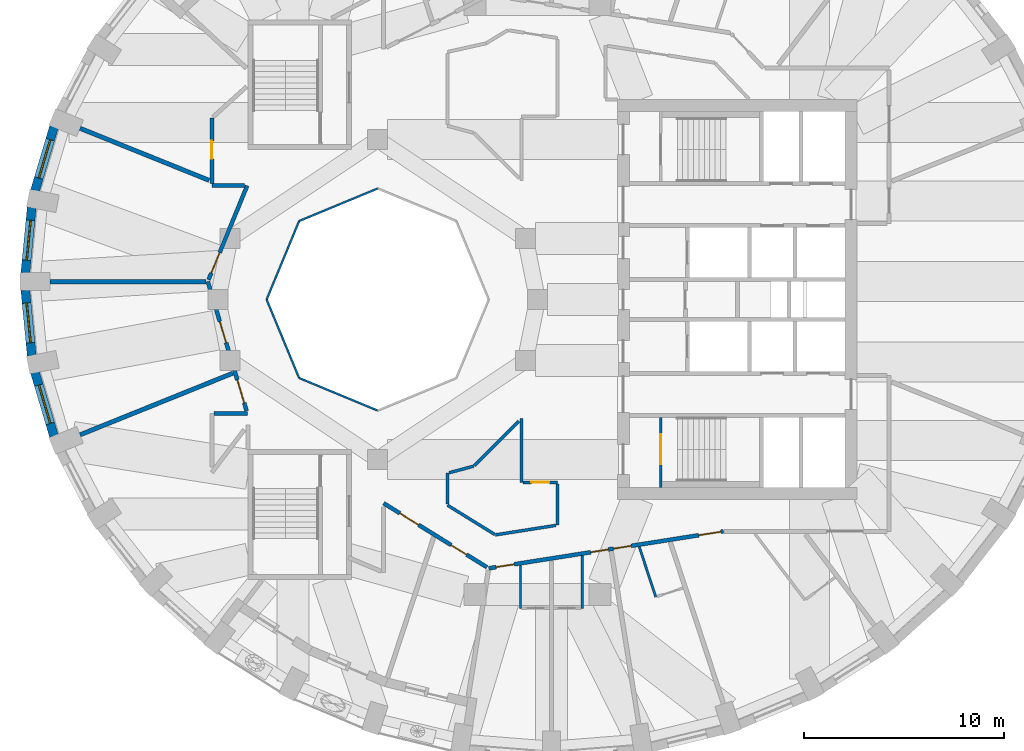
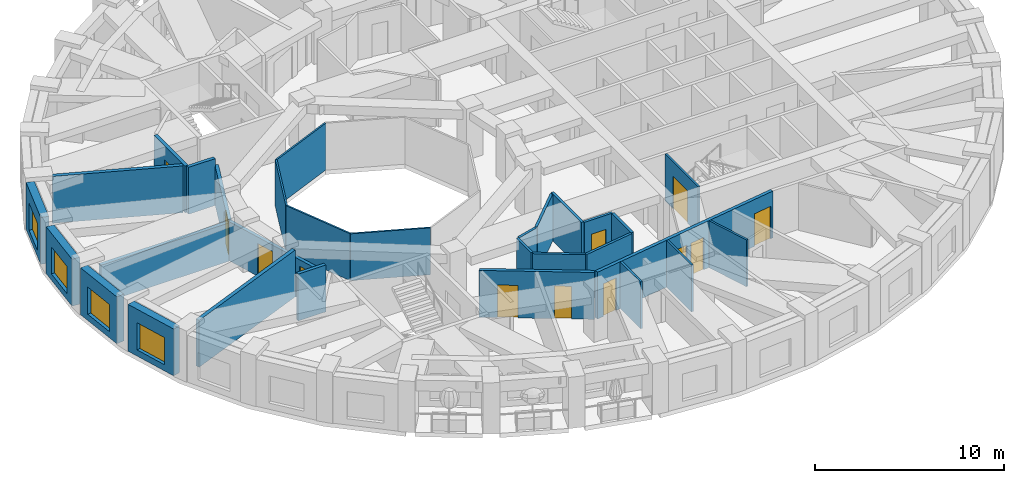
# One storey, part 4 of 12: 30 walls, 12 doors, 4 windows, 16 openings.
"""IFC4 building model written with IfcOpenShell, lengths in metres."""

from ifc_helpers import new_model, si_unit, direction, frame, frame_2d, origin, place, context, subcontext, project, spatial, rectangle, extrude, material, layer, layer_set, type_object, element, fill, save


model = new_model("IFC4")

# Units and contexts
model_context = context("Model", 3, precision=1e-05, world=origin(), true_north=direction((0.0, 1.0)))
body_context = subcontext(model_context, "Body", "Model", "MODEL_VIEW")
ifc_project = project(units=[si_unit("LENGTHUNIT", "METRE"), si_unit("AREAUNIT", "SQUARE_METRE"), si_unit("VOLUMEUNIT", "CUBIC_METRE"), si_unit("PLANEANGLEUNIT", "RADIAN"), si_unit("MASSUNIT", "GRAM", prefix="KILO")], contexts=[model_context])

# Site, building, storey
site_placement = place(None, origin())
site = spatial("IfcSite", under=ifc_project, at=site_placement, CompositionType="ELEMENT")
building_placement = place(site_placement, origin())
building = spatial("IfcBuilding", under=site, at=building_placement, Name="Taillehof Tower", CompositionType="ELEMENT")
storey_placement = place(building_placement, frame((0.0, 0.0, 212.300048828125)))
storey = spatial("IfcBuildingStorey", under=building, at=storey_placement, Name="L60", CompositionType="ELEMENT", Elevation=212.300048828125)

# Walls
ifc_material_1 = material(Name="Fire-resisting glass in steel frame", Category="steel")
ifc_layer_1 = layer(ifc_material_1, 0.10009765625)
ifc_layer_set_1 = layer_set([ifc_layer_1], Name="Atrium fire-resisting screen EI 60 100")
wall_type_1 = type_object("IfcWallType", Name="Atrium fire-resisting screen EI 60 100", PredefinedType="PARTITIONING", material=ifc_layer_set_1)
for number, where, z_axis, x_axis, name in (
    (1, (-8.0, -5.55419921875, 0.0), (0.0, 0.0, 1.0), (-0.923860025149, 0.382730523909, 0.0), "Atrium screen"),
    (2, (-11.92724609375, -3.92724609375, 0.0), (0.0, 0.0, 1.0), (-0.382730523909, 0.923860025149, 0.0), "Atrium screen"),
    (3, (-13.55419921875, 0.0, 0.0), (0.0, 0.0, 1.0), (0.382730523909, 0.923860025149, 0.0), "Atrium screen"),
    (4, (-11.92724609375, 3.92724609375, 0.0), (0.0, 0.0, 1.0), (0.923860025149, 0.382730523909, 0.0), "Atrium screen"),
):
    element("IfcWall", number, at=place(storey_placement, frame(where, z_axis=z_axis, x_axis=x_axis)), inside=storey, type_object=wall_type_1, Name=name, PredefinedType="PARTITIONING", context=body_context, shape_type="SweptSolid", body=[
        extrude(rectangle(XDim=4.2509765625, YDim=0.10009765625, at=frame_2d((2.12548828125, 0.0))), origin(), (0.0, 0.0, 1.0), 3.02001953125),
    ])

# Wall, opening, window
ifc_material_2 = material(Name="Brick masonry", Category="masonry")
ifc_layer_2 = layer(ifc_material_2, 0.449951171875)
ifc_layer_set_2 = layer_set([ifc_layer_2], Name="Brick infill wall 450")
wall_type_2 = type_object("IfcWallType", Name="Brick infill wall 450", PredefinedType="SOLIDWALL", material=ifc_layer_set_2)
wall_1_placement = place(storey_placement, frame((-24.200439453125, 8.634033203125, 0.0), z_axis=(0.0, 0.0, 1.0), x_axis=(-0.285444972963, -0.958395099847, 0.0)))
wall_1 = element("IfcWall", 5, at=wall_1_placement, inside=storey, type_object=wall_type_2, Name="Brick wall L60 bay 17", PredefinedType="SOLIDWALL", context=body_context, shape_type="SweptSolid", body=[
    extrude(rectangle(XDim=3.3203125, YDim=0.449951171875, at=frame_2d((1.66015625, 0.0))), origin(), (0.0, 0.0, 1.0), 3.02001953125),
])
opening_1_placement = place(wall_1_placement, frame((0.66015625, 0.0, 0.39990234375)))
opening_1 = element("IfcOpeningElement", 6, at=opening_1_placement, cuts=wall_1, Name="Opening W2", PredefinedType="OPENING", context=body_context, shape_type="SweptSolid", body=[
    extrude(rectangle(XDim=2.0, YDim=1.75, at=frame_2d((1.0, 0.875))), frame((0.0, 0.23486328125, 0.0), z_axis=(0.0, -1.0, 0.0), x_axis=(1.0, 0.0, 0.0)), (0.0, 0.0, 1.0), 0.469970703125),
])
ifc_material_3 = material(Name="Aluminium window frame with clear double glazing", Category="aluminium")
window_type = type_object("IfcWindowType", Name="Deep-set window 2000x1750", PartitioningType="SINGLE_PANEL", PredefinedType="WINDOW", material=ifc_material_3)
window_1_placement = place(opening_1_placement, origin())
window_1 = element("IfcWindow", 7, at=window_1_placement, inside=storey, type_object=window_type, Name="W2", OverallHeight=1.75, OverallWidth=2.0, PartitioningType="SINGLE_PANEL", PredefinedType="WINDOW", context=body_context, shape_type="SweptSolid", body=[
    extrude(rectangle(XDim=2.0, YDim=1.75, at=frame_2d((1.0, 0.875))), frame((0.0, 0.034912109375, 0.0), z_axis=(0.0, -1.0, 0.0), x_axis=(1.0, 0.0, 0.0)), (0.0, 0.0, 1.0), 0.06005859375),
])
fill(opening_1, window_1)

wall_2_placement = place(storey_placement, frame((-25.313232421875, 4.607666015625, 0.0), z_axis=(0.0, 0.0, 1.0), x_axis=(-0.096824116835, -0.995301507283, 0.0)))
wall_2 = element("IfcWall", 8, at=wall_2_placement, inside=storey, type_object=wall_type_2, Name="Brick wall L60 bay 18", PredefinedType="SOLIDWALL", context=body_context, shape_type="SweptSolid", body=[
    extrude(rectangle(XDim=3.29296875, YDim=0.449951171875, at=frame_2d((1.646484375, 0.0))), origin(), (0.0, 0.0, 1.0), 3.02001953125),
])
opening_2_placement = place(wall_2_placement, frame((0.646484375, 0.0, 0.39990234375)))
opening_2 = element("IfcOpeningElement", 9, at=opening_2_placement, cuts=wall_2, Name="Opening W2", PredefinedType="OPENING", context=body_context, shape_type="SweptSolid", body=[
    extrude(rectangle(XDim=2.0, YDim=1.75, at=frame_2d((1.0, 0.875))), frame((0.0, 0.23486328125, 0.0), z_axis=(0.0, -1.0, 0.0), x_axis=(1.0, 0.0, 0.0)), (0.0, 0.0, 1.0), 0.469970703125),
])
window_2_placement = place(opening_2_placement, origin())
window_2 = element("IfcWindow", 10, at=window_2_placement, inside=storey, type_object=window_type, Name="W2", OverallHeight=1.75, OverallWidth=2.0, PartitioningType="SINGLE_PANEL", PredefinedType="WINDOW", context=body_context, shape_type="SweptSolid", body=[
    extrude(rectangle(XDim=2.0, YDim=1.75, at=frame_2d((1.0, 0.875))), frame((0.0, 0.034912109375, 0.0), z_axis=(0.0, -1.0, 0.0), x_axis=(1.0, 0.0, 0.0)), (0.0, 0.0, 1.0), 0.06005859375),
])
fill(opening_2, window_2)

wall_3_placement = place(storey_placement, frame((-25.632080078125, 0.469970703125, 0.0), z_axis=(0.0, 0.0, 1.0), x_axis=(0.096816972749, -0.995302202242, 0.0)))
wall_3 = element("IfcWall", 11, at=wall_3_placement, inside=storey, type_object=wall_type_2, Name="Brick wall L60 bay 19", PredefinedType="SOLIDWALL", context=body_context, shape_type="SweptSolid", body=[
    extrude(rectangle(XDim=3.293212890625, YDim=0.449951171875, at=frame_2d((1.646484375, 0.0))), origin(), (0.0, 0.0, 1.0), 3.02001953125),
])
opening_3_placement = place(wall_3_placement, frame((0.646484375, 0.0, 0.39990234375)))
opening_3 = element("IfcOpeningElement", 12, at=opening_3_placement, cuts=wall_3, Name="Opening W2", PredefinedType="OPENING", context=body_context, shape_type="SweptSolid", body=[
    extrude(rectangle(XDim=2.0, YDim=1.75, at=frame_2d((1.0, 0.875))), frame((0.0, 0.23486328125, 0.0), z_axis=(0.0, -1.0, 0.0), x_axis=(1.0, 0.0, 0.0)), (0.0, 0.0, 1.0), 0.469970703125),
])
window_3_placement = place(opening_3_placement, origin())
window_3 = element("IfcWindow", 13, at=window_3_placement, inside=storey, type_object=window_type, Name="W2", OverallHeight=1.75, OverallWidth=2.0, PartitioningType="SINGLE_PANEL", PredefinedType="WINDOW", context=body_context, shape_type="SweptSolid", body=[
    extrude(rectangle(XDim=2.0, YDim=1.75, at=frame_2d((1.0, 0.875))), frame((0.0, 0.034912109375, 0.0), z_axis=(0.0, -1.0, 0.0), x_axis=(1.0, 0.0, 0.0)), (0.0, 0.0, 1.0), 0.06005859375),
])
fill(opening_3, window_3)

wall_4_placement = place(storey_placement, frame((-25.148193359375, -3.65185546875, 0.0), z_axis=(0.0, 0.0, 1.0), x_axis=(0.285444972963, -0.958395099847, 0.0)))
wall_4 = element("IfcWall", 14, at=wall_4_placement, inside=storey, type_object=wall_type_2, Name="Brick wall L60 bay 20", PredefinedType="SOLIDWALL", context=body_context, shape_type="SweptSolid", body=[
    extrude(rectangle(XDim=3.3203125, YDim=0.449951171875, at=frame_2d((1.66015625, 0.0))), origin(), (0.0, 0.0, 1.0), 3.02001953125),
])
opening_4_placement = place(wall_4_placement, frame((0.66015625, 0.0, 0.39990234375)))
opening_4 = element("IfcOpeningElement", 15, at=opening_4_placement, cuts=wall_4, Name="Opening W2", PredefinedType="OPENING", context=body_context, shape_type="SweptSolid", body=[
    extrude(rectangle(XDim=2.0, YDim=1.75, at=frame_2d((1.0, 0.875))), frame((0.0, 0.23486328125, 0.0), z_axis=(0.0, -1.0, 0.0), x_axis=(1.0, 0.0, 0.0)), (0.0, 0.0, 1.0), 0.469970703125),
])
window_4_placement = place(opening_4_placement, origin())
window_4 = element("IfcWindow", 16, at=window_4_placement, inside=storey, type_object=window_type, Name="W2", OverallHeight=1.75, OverallWidth=2.0, PartitioningType="SINGLE_PANEL", PredefinedType="WINDOW", context=body_context, shape_type="SweptSolid", body=[
    extrude(rectangle(XDim=2.0, YDim=1.75, at=frame_2d((1.0, 0.875))), frame((0.0, 0.034912109375, 0.0), z_axis=(0.0, -1.0, 0.0), x_axis=(1.0, 0.0, 0.0)), (0.0, 0.0, 1.0), 0.06005859375),
])
fill(opening_4, window_4)

# Wall, openings, doors
ifc_material_4 = material(Name="Gypsum board on steel studs, two layers each side", Category="steel")
ifc_layer_3 = layer(ifc_material_4, 0.199951171875)
ifc_layer_set_3 = layer_set([ifc_layer_3], Name="Compartment wall corridor 200")
wall_type_3 = type_object("IfcWallType", Name="Compartment wall corridor 200", PredefinedType="PARTITIONING", material=ifc_layer_set_3)
wall_5_placement = place(storey_placement, frame((9.306396484375, -11.603271484375, 0.0), z_axis=(0.0, 0.0, 1.0), x_axis=(-0.987842562114, -0.155457622769, 0.0)))
wall_5 = element("IfcWall", 17, at=wall_5_placement, inside=storey, type_object=wall_type_3, Name="Compartment wall", PredefinedType="PARTITIONING", context=body_context, shape_type="SweptSolid", body=[
    extrude(rectangle(XDim=11.89306640625, YDim=0.199951171875, at=frame_2d((5.946533203125, 0.0))), origin(), (0.0, 0.0, 1.0), 3.02001953125),
])
opening_5_placement = place(wall_5_placement, frame((10.60693359375, 0.0, 0.0)))
opening_5 = element("IfcOpeningElement", 18, at=opening_5_placement, cuts=wall_5, Name="Opening D6054", PredefinedType="OPENING", context=body_context, shape_type="SweptSolid", body=[
    extrude(rectangle(XDim=0.89990234375, YDim=2.10009765625, at=frame_2d((0.449951171875, 1.050048828125))), frame((0.0, 0.10986328125, 0.0), z_axis=(0.0, -1.0, 0.0), x_axis=(1.0, 0.0, 0.0)), (0.0, 0.0, 1.0), 0.219970703125),
])
opening_6_placement = place(wall_5_placement, frame((5.829345703125, 0.0, 0.0)))
opening_6 = element("IfcOpeningElement", 19, at=opening_6_placement, cuts=wall_5, Name="Opening D6056", PredefinedType="OPENING", context=body_context, shape_type="SweptSolid", body=[
    extrude(rectangle(XDim=0.89990234375, YDim=2.10009765625, at=frame_2d((0.449951171875, 1.050048828125))), frame((0.0, 0.10986328125, 0.0), z_axis=(0.0, -1.0, 0.0), x_axis=(1.0, 0.0, 0.0)), (0.0, 0.0, 1.0), 0.219970703125),
])
opening_7_placement = place(wall_5_placement, frame((4.66943359375, 0.0, 0.0)))
opening_7 = element("IfcOpeningElement", 20, at=opening_7_placement, cuts=wall_5, Name="Opening D6058", PredefinedType="OPENING", context=body_context, shape_type="SweptSolid", body=[
    extrude(rectangle(XDim=0.89990234375, YDim=2.10009765625, at=frame_2d((0.449951171875, 1.050048828125))), frame((0.0, 0.10986328125, 0.0), z_axis=(0.0, -1.0, 0.0), x_axis=(1.0, 0.0, 0.0)), (0.0, 0.0, 1.0), 0.219970703125),
])
opening_8_placement = place(wall_5_placement, frame((0.139892578125, 0.0, 0.0)))
opening_8 = element("IfcOpeningElement", 21, at=opening_8_placement, cuts=wall_5, Name="Opening D6060", PredefinedType="OPENING", context=body_context, shape_type="SweptSolid", body=[
    extrude(rectangle(XDim=1.10009765625, YDim=2.10009765625, at=frame_2d((0.550048828125, 1.050048828125))), frame((0.0, 0.10986328125, 0.0), z_axis=(0.0, -1.0, 0.0), x_axis=(1.0, 0.0, 0.0)), (0.0, 0.0, 1.0), 0.219970703125),
])
ifc_material_5 = material(Name="Timber door leaf in steel frame", Category="steel")
door_type_1 = type_object("IfcDoorType", Name="Guest room door EI 30 900 x 2100", OperationType="SINGLE_SWING_LEFT", PredefinedType="DOOR", material=ifc_material_5)
door_1_placement = place(opening_5_placement, origin())
door_1 = element("IfcDoor", 22, at=door_1_placement, inside=storey, type_object=door_type_1, Name="D6054", OperationType="SINGLE_SWING_LEFT", OverallHeight=2.10009765625, OverallWidth=0.89990234375, PredefinedType="DOOR", context=body_context, shape_type="SweptSolid", body=[
    extrude(rectangle(XDim=0.89990234375, YDim=2.10009765625, at=frame_2d((0.449951171875, 1.050048828125))), frame((0.0, 0.02490234375, 0.0), z_axis=(0.0, -1.0, 0.0), x_axis=(1.0, 0.0, 0.0)), (0.0, 0.0, 1.0), 0.050048828125),
])
fill(opening_5, door_1)
door_2_placement = place(opening_6_placement, origin())
door_2 = element("IfcDoor", 23, at=door_2_placement, inside=storey, type_object=door_type_1, Name="D6056", OperationType="SINGLE_SWING_LEFT", OverallHeight=2.10009765625, OverallWidth=0.89990234375, PredefinedType="DOOR", context=body_context, shape_type="SweptSolid", body=[
    extrude(rectangle(XDim=0.89990234375, YDim=2.10009765625, at=frame_2d((0.449951171875, 1.050048828125))), frame((0.0, 0.02490234375, 0.0), z_axis=(0.0, -1.0, 0.0), x_axis=(1.0, 0.0, 0.0)), (0.0, 0.0, 1.0), 0.050048828125),
])
fill(opening_6, door_2)
door_3_placement = place(opening_7_placement, origin())
door_3 = element("IfcDoor", 24, at=door_3_placement, inside=storey, type_object=door_type_1, Name="D6058", OperationType="SINGLE_SWING_RIGHT", OverallHeight=2.10009765625, OverallWidth=0.89990234375, PredefinedType="DOOR", context=body_context, shape_type="SweptSolid", body=[
    extrude(rectangle(XDim=0.89990234375, YDim=2.10009765625, at=frame_2d((0.449951171875, 1.050048828125))), frame((0.0, 0.02490234375, 0.0), z_axis=(0.0, -1.0, 0.0), x_axis=(1.0, 0.0, 0.0)), (0.0, 0.0, 1.0), 0.050048828125),
])
fill(opening_7, door_3)
ifc_material_6 = material(Name="Timber door leaf in steel frame", Category="steel")
door_type_2 = type_object("IfcDoorType", Name="Suite entrance door EI 30 1100 x 2100", OperationType="SINGLE_SWING_LEFT", PredefinedType="DOOR", material=ifc_material_6)
door_4_placement = place(opening_8_placement, origin())
door_4 = element("IfcDoor", 25, at=door_4_placement, inside=storey, type_object=door_type_2, Name="D6060", OperationType="SINGLE_SWING_LEFT", OverallHeight=2.10009765625, OverallWidth=1.10009765625, PredefinedType="DOOR", context=body_context, shape_type="SweptSolid", body=[
    extrude(rectangle(XDim=1.10009765625, YDim=2.10009765625, at=frame_2d((0.550048828125, 1.050048828125))), frame((0.0, 0.02490234375, 0.0), z_axis=(0.0, -1.0, 0.0), x_axis=(1.0, 0.0, 0.0)), (0.0, 0.0, 1.0), 0.050048828125),
])
fill(opening_8, door_4)

wall_6_placement = place(storey_placement, frame((-2.527587890625, -13.399658203125, 0.0), z_axis=(0.0, 0.0, 1.0), x_axis=(-0.850088088191, 0.526640524757, 0.0)))
wall_6 = element("IfcWall", 26, at=wall_6_placement, inside=storey, type_object=wall_type_3, Name="Compartment wall", PredefinedType="PARTITIONING", context=body_context, shape_type="SweptSolid", body=[
    extrude(rectangle(XDim=6.08447265625, YDim=0.199951171875, at=frame_2d((3.042236328125, 0.0))), origin(), (0.0, 0.0, 1.0), 3.02001953125),
])
opening_9_placement = place(wall_6_placement, frame((4.031494140625, 0.0, 0.0)))
opening_9 = element("IfcOpeningElement", 27, at=opening_9_placement, cuts=wall_6, Name="Opening D6052", PredefinedType="OPENING", context=body_context, shape_type="SweptSolid", body=[
    extrude(rectangle(XDim=1.10009765625, YDim=2.10009765625, at=frame_2d((0.550048828125, 1.050048828125))), frame((0.0, 0.10986328125, 0.0), z_axis=(0.0, -1.0, 0.0), x_axis=(1.0, 0.0, 0.0)), (0.0, 0.0, 1.0), 0.219970703125),
])
opening_10_placement = place(wall_6_placement, frame((1.206298828125, 0.0, 0.0)))
opening_10 = element("IfcOpeningElement", 28, at=opening_10_placement, cuts=wall_6, Name="Opening D6053", PredefinedType="OPENING", context=body_context, shape_type="SweptSolid", body=[
    extrude(rectangle(XDim=0.89990234375, YDim=2.10009765625, at=frame_2d((0.449951171875, 1.050048828125))), frame((0.0, 0.10986328125, 0.0), z_axis=(0.0, -1.0, 0.0), x_axis=(1.0, 0.0, 0.0)), (0.0, 0.0, 1.0), 0.219970703125),
])
ifc_material_7 = material(Name="Timber door leaf in steel frame", Category="steel")
door_type_3 = type_object("IfcDoorType", Name="Service room door EI 30 900 x 2100", OperationType="SINGLE_SWING_LEFT", PredefinedType="DOOR", material=ifc_material_7)
door_5_placement = place(opening_10_placement, origin())
door_5 = element("IfcDoor", 29, at=door_5_placement, inside=storey, type_object=door_type_3, Name="D6053", OperationType="SINGLE_SWING_RIGHT", OverallHeight=2.10009765625, OverallWidth=0.89990234375, PredefinedType="DOOR", context=body_context, shape_type="SweptSolid", body=[
    extrude(rectangle(XDim=0.89990234375, YDim=2.10009765625, at=frame_2d((0.449951171875, 1.050048828125))), frame((0.0, 0.02490234375, 0.0), z_axis=(0.0, -1.0, 0.0), x_axis=(1.0, 0.0, 0.0)), (0.0, 0.0, 1.0), 0.050048828125),
])
fill(opening_10, door_5)
door_6_placement = place(opening_9_placement, origin())
door_6 = element("IfcDoor", 30, at=door_6_placement, inside=storey, type_object=door_type_2, Name="D6052", OperationType="SINGLE_SWING_RIGHT", OverallHeight=2.10009765625, OverallWidth=1.10009765625, PredefinedType="DOOR", context=body_context, shape_type="SweptSolid", body=[
    extrude(rectangle(XDim=1.10009765625, YDim=2.10009765625, at=frame_2d((0.550048828125, 1.050048828125))), frame((0.0, 0.02490234375, 0.0), z_axis=(0.0, -1.0, 0.0), x_axis=(1.0, 0.0, 0.0)), (0.0, 0.0, 1.0), 0.050048828125),
])
fill(opening_9, door_6)

# Wall
wall_7_placement = place(storey_placement, frame((-16.199951171875, -5.699951171875, 0.0), z_axis=(0.0, 0.0, 1.0), x_axis=(1.0, 0.0, 0.0)))
element("IfcWall", 31, at=wall_7_placement, inside=storey, type_object=wall_type_3, Name="Compartment wall", PredefinedType="PARTITIONING", context=body_context, shape_type="SweptSolid", body=[
    extrude(rectangle(XDim=1.681396484375, YDim=0.199951171875, at=frame_2d((0.8408203125, 0.0))), origin(), (0.0, 0.0, 1.0), 3.02001953125),
])

# Wall, openings, doors
wall_8_placement = place(storey_placement, frame((-14.5595703125, -5.566650390625, 0.0), z_axis=(0.0, 0.0, 1.0), x_axis=(-0.287410918602, 0.95780737305, 0.0)))
wall_8 = element("IfcWall", 32, at=wall_8_placement, inside=storey, type_object=wall_type_3, Name="Compartment wall", PredefinedType="PARTITIONING", context=body_context, shape_type="SweptSolid", body=[
    extrude(rectangle(XDim=6.75146484375, YDim=0.199951171875, at=frame_2d((3.375732421875, 0.0))), origin(), (0.0, 0.0, 1.0), 2.52001953125),
])
opening_11_placement = place(wall_8_placement, frame((3.561279296875, 0.0, 0.0)))
opening_11 = element("IfcOpeningElement", 33, at=opening_11_placement, cuts=wall_8, Name="Opening D6050", PredefinedType="OPENING", context=body_context, shape_type="SweptSolid", body=[
    extrude(rectangle(XDim=1.10009765625, YDim=2.10009765625, at=frame_2d((0.550048828125, 1.050048828125))), frame((0.0, 0.10986328125, 0.0), z_axis=(0.0, -1.0, 0.0), x_axis=(1.0, 0.0, 0.0)), (0.0, 0.0, 1.0), 0.219970703125),
])
opening_12_placement = place(wall_8_placement, frame((0.409912109375, 0.0, 0.0)))
opening_12 = element("IfcOpeningElement", 34, at=opening_12_placement, cuts=wall_8, Name="Opening D6051", PredefinedType="OPENING", context=body_context, shape_type="SweptSolid", body=[
    extrude(rectangle(XDim=1.199951171875, YDim=2.10009765625, at=frame_2d((0.60009765625, 1.050048828125))), frame((0.0, 0.10986328125, 0.0), z_axis=(0.0, -1.0, 0.0), x_axis=(1.0, 0.0, 0.0)), (0.0, 0.0, 1.0), 0.219970703125),
])
door_7_placement = place(opening_11_placement, origin())
door_7 = element("IfcDoor", 35, at=door_7_placement, inside=storey, type_object=door_type_2, Name="D6050", OperationType="SINGLE_SWING_LEFT", OverallHeight=2.10009765625, OverallWidth=1.10009765625, PredefinedType="DOOR", context=body_context, shape_type="SweptSolid", body=[
    extrude(rectangle(XDim=1.10009765625, YDim=2.10009765625, at=frame_2d((0.550048828125, 1.050048828125))), frame((0.0, 0.02490234375, 0.0), z_axis=(0.0, -1.0, 0.0), x_axis=(1.0, 0.0, 0.0)), (0.0, 0.0, 1.0), 0.050048828125),
])
fill(opening_11, door_7)
ifc_material_8 = material(Name="Timber door leaf in steel frame", Category="steel")
door_type_4 = type_object("IfcDoorType", Name="Suite entrance door EI 30 1200 x 2100", OperationType="SINGLE_SWING_LEFT", PredefinedType="DOOR", material=ifc_material_8)
door_8_placement = place(opening_12_placement, origin())
door_8 = element("IfcDoor", 36, at=door_8_placement, inside=storey, type_object=door_type_4, Name="D6051", OperationType="SINGLE_SWING_RIGHT", OverallHeight=2.10009765625, OverallWidth=1.199951171875, PredefinedType="DOOR", context=body_context, shape_type="SweptSolid", body=[
    extrude(rectangle(XDim=1.199951171875, YDim=2.10009765625, at=frame_2d((0.60009765625, 1.050048828125))), frame((0.0, 0.02490234375, 0.0), z_axis=(0.0, -1.0, 0.0), x_axis=(1.0, 0.0, 0.0)), (0.0, 0.0, 1.0), 0.050048828125),
])
fill(opening_12, door_8)

# Wall, opening, door
wall_9_placement = place(storey_placement, frame((-16.462158203125, 0.99267578125, 0.0), z_axis=(0.0, 0.0, 1.0), x_axis=(0.37991958703, 0.925019517303, 0.0)))
wall_9 = element("IfcWall", 37, at=wall_9_placement, inside=storey, type_object=wall_type_3, Name="Compartment wall", PredefinedType="PARTITIONING", context=body_context, shape_type="SweptSolid", body=[
    extrude(rectangle(XDim=5.0888671875, YDim=0.199951171875, at=frame_2d((2.54443359375, 0.0))), origin(), (0.0, 0.0, 1.0), 2.52001953125),
])
opening_13_placement = place(wall_9_placement, frame((0.359619140625, 0.0, 0.0)))
opening_13 = element("IfcOpeningElement", 38, at=opening_13_placement, cuts=wall_9, Name="Opening D6049", PredefinedType="OPENING", context=body_context, shape_type="SweptSolid", body=[
    extrude(rectangle(XDim=1.10009765625, YDim=2.10009765625, at=frame_2d((0.550048828125, 1.050048828125))), frame((0.0, 0.10986328125, 0.0), z_axis=(0.0, -1.0, 0.0), x_axis=(1.0, 0.0, 0.0)), (0.0, 0.0, 1.0), 0.219970703125),
])
door_9_placement = place(opening_13_placement, origin())
door_9 = element("IfcDoor", 39, at=door_9_placement, inside=storey, type_object=door_type_2, Name="D6049", OperationType="SINGLE_SWING_LEFT", OverallHeight=2.10009765625, OverallWidth=1.10009765625, PredefinedType="DOOR", context=body_context, shape_type="SweptSolid", body=[
    extrude(rectangle(XDim=1.10009765625, YDim=2.10009765625, at=frame_2d((0.550048828125, 1.050048828125))), frame((0.0, 0.02490234375, 0.0), z_axis=(0.0, -1.0, 0.0), x_axis=(1.0, 0.0, 0.0)), (0.0, 0.0, 1.0), 0.050048828125),
])
fill(opening_13, door_9)

# Wall
wall_10_placement = place(storey_placement, frame((-14.6689453125, 5.699951171875, 0.0), z_axis=(0.0, 0.0, 1.0), x_axis=(-1.0, 0.0, 0.0)))
element("IfcWall", 40, at=wall_10_placement, inside=storey, type_object=wall_type_3, Name="Compartment wall", PredefinedType="PARTITIONING", context=body_context, shape_type="SweptSolid", body=[
    extrude(rectangle(XDim=1.631103515625, YDim=0.199951171875, at=frame_2d((0.8154296875, 0.0))), origin(), (0.0, 0.0, 1.0), 3.02001953125),
])

# Wall, opening, door
wall_11_placement = place(storey_placement, frame((-16.300048828125, 5.800048828125, 0.0), z_axis=(0.0, 0.0, 1.0), x_axis=(0.0, 1.0, 0.0)))
wall_11 = element("IfcWall", 41, at=wall_11_placement, inside=storey, type_object=wall_type_3, Name="Compartment wall", PredefinedType="PARTITIONING", context=body_context, shape_type="SweptSolid", body=[
    extrude(rectangle(XDim=3.28271484375, YDim=0.199951171875, at=frame_2d((1.641357421875, 0.0))), origin(), (0.0, 0.0, 1.0), 3.02001953125),
])
opening_14_placement = place(wall_11_placement, frame((1.2412109375, 0.0, 0.0)))
opening_14 = element("IfcOpeningElement", 42, at=opening_14_placement, cuts=wall_11, Name="Opening D6048", PredefinedType="OPENING", context=body_context, shape_type="SweptSolid", body=[
    extrude(rectangle(XDim=0.89990234375, YDim=2.10009765625, at=frame_2d((0.449951171875, 1.050048828125))), frame((0.0, 0.10986328125, 0.0), z_axis=(0.0, -1.0, 0.0), x_axis=(1.0, 0.0, 0.0)), (0.0, 0.0, 1.0), 0.219970703125),
])
door_10_placement = place(opening_14_placement, origin())
door_10 = element("IfcDoor", 43, at=door_10_placement, inside=storey, type_object=door_type_3, Name="D6048", OperationType="SINGLE_SWING_LEFT", OverallHeight=2.10009765625, OverallWidth=0.89990234375, PredefinedType="DOOR", context=body_context, shape_type="SweptSolid", body=[
    extrude(rectangle(XDim=0.89990234375, YDim=2.10009765625, at=frame_2d((0.449951171875, 1.050048828125))), frame((0.0, 0.02490234375, 0.0), z_axis=(0.0, -1.0, 0.0), x_axis=(1.0, 0.0, 0.0)), (0.0, 0.0, 1.0), 0.050048828125),
])
fill(opening_14, door_10)

# Walls
ifc_material_9 = material(Name="Gypsum board on double steel studs with mineral wool", Category="steel")
ifc_layer_4 = layer(ifc_material_9, 0.219970703125)
ifc_layer_set_4 = layer_set([ifc_layer_4], Name="Compartment wall guest room 220")
wall_type_4 = type_object("IfcWallType", Name="Compartment wall guest room 220", PredefinedType="PARTITIONING", material=ifc_layer_set_4)
wall_12_placement = place(storey_placement, frame((-22.8955078125, 8.5712890625, 0.0), z_axis=(0.0, 0.0, 1.0), x_axis=(0.927387137769, -0.374103056256, 0.0)))
element("IfcWall", 44, at=wall_12_placement, inside=storey, type_object=wall_type_4, Name="Compartment wall", PredefinedType="PARTITIONING", context=body_context, shape_type="SweptSolid", body=[
    extrude(rectangle(XDim=6.9638671875, YDim=0.219970703125, at=frame_2d((3.48193359375, 0.0))), origin(), (0.0, 0.0, 1.0), 3.02001953125),
])
wall_13_placement = place(storey_placement, frame((-24.39990234375, 0.89990234375, 0.0), z_axis=(0.0, 0.0, 1.0), x_axis=(1.0, 0.0, 0.0)))
element("IfcWall", 45, at=wall_13_placement, inside=storey, type_object=wall_type_4, Name="Compartment wall", PredefinedType="PARTITIONING", context=body_context, shape_type="SweptSolid", body=[
    extrude(rectangle(XDim=7.7998046875, YDim=0.219970703125, at=frame_2d((3.89990234375, 0.0))), origin(), (0.0, 0.0, 1.0), 2.469970703125),
])
wall_14_placement = place(storey_placement, frame((-22.8955078125, -6.771484375, 0.0), z_axis=(0.0, 0.0, 1.0), x_axis=(0.92738233242, 0.374114968313, 0.0)))
element("IfcWall", 46, at=wall_14_placement, inside=storey, type_object=wall_type_4, Name="Compartment wall", PredefinedType="PARTITIONING", context=body_context, shape_type="SweptSolid", body=[
    extrude(rectangle(XDim=8.24609375, YDim=0.219970703125, at=frame_2d((4.123046875, 0.0))), origin(), (0.0, 0.0, 1.0), 3.02001953125),
])
ifc_material_10 = material(Name="Gypsum board on steel studs, two layers each side", Category="steel")
ifc_layer_5 = layer(ifc_material_10, 0.14990234375)
ifc_layer_set_5 = layer_set([ifc_layer_5], Name="Compartment wall service room 150")
wall_type_5 = type_object("IfcWallType", Name="Compartment wall service room 150", PredefinedType="PARTITIONING", material=ifc_layer_set_5)
wall_15_placement = place(storey_placement, frame((-0.800048828125, -5.9521484375, 0.0), z_axis=(0.0, 0.0, 1.0), x_axis=(0.0, -1.0, 0.0)))
element("IfcWall", 47, at=wall_15_placement, inside=storey, type_object=wall_type_5, Name="Compartment wall", PredefinedType="PARTITIONING", context=body_context, shape_type="SweptSolid", body=[
    extrude(rectangle(XDim=3.19775390625, YDim=0.14990234375, at=frame_2d((1.598876953125, 0.0))), origin(), (0.0, 0.0, 1.0), 3.02001953125),
])

# Wall, opening, door
wall_16_placement = place(storey_placement, frame((-0.719970703125, -9.14990234375, 0.0), z_axis=(0.0, 0.0, 1.0), x_axis=(1.0, 0.0, 0.0)))
wall_16 = element("IfcWall", 48, at=wall_16_placement, inside=storey, type_object=wall_type_5, Name="Compartment wall", PredefinedType="PARTITIONING", context=body_context, shape_type="SweptSolid", body=[
    extrude(rectangle(XDim=1.719970703125, YDim=0.14990234375, at=frame_2d((0.85986328125, 0.0))), origin(), (0.0, 0.0, 1.0), 3.02001953125),
])
opening_15_placement = place(wall_16_placement, frame((0.409912109375, 0.0, 0.0)))
opening_15 = element("IfcOpeningElement", 49, at=opening_15_placement, cuts=wall_16, Name="Opening D6067", PredefinedType="OPENING", context=body_context, shape_type="SweptSolid", body=[
    extrude(rectangle(XDim=0.89990234375, YDim=2.10009765625, at=frame_2d((0.449951171875, 1.050048828125))), frame((0.0, 0.0849609375, 0.0), z_axis=(0.0, -1.0, 0.0), x_axis=(1.0, 0.0, 0.0)), (0.0, 0.0, 1.0), 0.169921875),
])
door_11_placement = place(opening_15_placement, origin())
door_11 = element("IfcDoor", 50, at=door_11_placement, inside=storey, type_object=door_type_3, Name="D6067", OperationType="SINGLE_SWING_LEFT", OverallHeight=2.10009765625, OverallWidth=0.89990234375, PredefinedType="DOOR", context=body_context, shape_type="SweptSolid", body=[
    extrude(rectangle(XDim=0.89990234375, YDim=2.10009765625, at=frame_2d((0.449951171875, 1.050048828125))), frame((0.0, 0.02490234375, 0.0), z_axis=(0.0, -1.0, 0.0), x_axis=(1.0, 0.0, 0.0)), (0.0, 0.0, 1.0), 0.050048828125),
])
fill(opening_15, door_11)

# Walls
wall_17_placement = place(storey_placement, frame((1.0, -9.22998046875, 0.0), z_axis=(0.0, 0.0, 1.0), x_axis=(0.0, -1.0, 0.0)))
element("IfcWall", 51, at=wall_17_placement, inside=storey, type_object=wall_type_5, Name="Compartment wall", PredefinedType="PARTITIONING", context=body_context, shape_type="SweptSolid", body=[
    extrude(rectangle(XDim=2.060791015625, YDim=0.14990234375, at=frame_2d((1.0302734375, 0.0))), origin(), (0.0, 0.0, 1.0), 3.02001953125),
])
wall_18_placement = place(storey_placement, frame((0.9208984375, -11.303466796875, 0.0), z_axis=(0.0, 0.0, 1.0), x_axis=(-0.987854584084, -0.15538121091, 0.0)))
element("IfcWall", 52, at=wall_18_placement, inside=storey, type_object=wall_type_5, Name="Compartment wall", PredefinedType="PARTITIONING", context=body_context, shape_type="SweptSolid", body=[
    extrude(rectangle(XDim=3.062255859375, YDim=0.14990234375, at=frame_2d((1.53125, 0.0))), origin(), (0.0, 0.0, 1.0), 3.02001953125),
])
wall_19_placement = place(storey_placement, frame((-2.138427734375, -11.75830078125, 0.0), z_axis=(0.0, 0.0, 1.0), x_axis=(-0.850109654363, 0.526605711666, 0.0)))
element("IfcWall", 53, at=wall_19_placement, inside=storey, type_object=wall_type_5, Name="Compartment wall", PredefinedType="PARTITIONING", context=body_context, shape_type="SweptSolid", body=[
    extrude(rectangle(XDim=2.778076171875, YDim=0.14990234375, at=frame_2d((1.38916015625, 0.0))), origin(), (0.0, 0.0, 1.0), 3.02001953125),
])
wall_20_placement = place(storey_placement, frame((-4.5, -10.2353515625, 0.0), z_axis=(0.0, 0.0, 1.0), x_axis=(0.0, 1.0, 0.0)))
element("IfcWall", 54, at=wall_20_placement, inside=storey, type_object=wall_type_5, Name="Compartment wall", PredefinedType="PARTITIONING", context=body_context, shape_type="SweptSolid", body=[
    extrude(rectangle(XDim=1.545166015625, YDim=0.14990234375, at=frame_2d((0.7724609375, 0.0))), origin(), (0.0, 0.0, 1.0), 3.02001953125),
])
wall_21_placement = place(storey_placement, frame((-4.4228515625, -8.669677734375, 0.0), z_axis=(0.0, 0.0, 1.0), x_axis=(0.965898680525, 0.258920333232, 0.0)))
element("IfcWall", 55, at=wall_21_placement, inside=storey, type_object=wall_type_5, Name="Compartment wall", PredefinedType="PARTITIONING", context=body_context, shape_type="SweptSolid", body=[
    extrude(rectangle(XDim=1.280517578125, YDim=0.14990234375, at=frame_2d((0.64013671875, 0.0))), origin(), (0.0, 0.0, 1.0), 3.02001953125),
])
wall_22_placement = place(storey_placement, frame((-3.15771484375, -8.309814453125, 0.0), z_axis=(0.0, 0.0, 1.0), x_axis=(0.707106781187, 0.707106781187, 0.0)))
element("IfcWall", 56, at=wall_22_placement, inside=storey, type_object=wall_type_5, Name="Compartment wall", PredefinedType="PARTITIONING", context=body_context, shape_type="SweptSolid", body=[
    extrude(rectangle(XDim=3.154052734375, YDim=0.14990234375, at=frame_2d((1.5771484375, 0.0))), origin(), (0.0, 0.0, 1.0), 3.02001953125),
])
ifc_material_11 = material(Name="Gypsum board on steel studs, moisture resistant", Category="steel")
ifc_layer_6 = layer(ifc_material_11, 0.1201171875)
ifc_layer_set_6 = layer_set([ifc_layer_6], Name="En-suite wall 120")
wall_type_6 = type_object("IfcWallType", Name="En-suite wall 120", PredefinedType="PARTITIONING", material=ifc_layer_set_6)
wall_23_placement = place(storey_placement, frame((-0.85009765625, -13.302734375, 0.0), z_axis=(0.0, 0.0, 1.0), x_axis=(0.0, -1.0, 0.0)))
element("IfcWall", 57, at=wall_23_placement, inside=storey, type_object=wall_type_6, Name="En-suite wall", PredefinedType="PARTITIONING", context=body_context, shape_type="SweptSolid", body=[
    extrude(rectangle(XDim=2.15478515625, YDim=0.1201171875, at=frame_2d((1.077392578125, 0.0))), origin(), (0.0, 0.0, 1.0), 3.02001953125),
])
wall_24_placement = place(storey_placement, frame((2.25, -12.81494140625, 0.0), z_axis=(0.0, 0.0, 1.0), x_axis=(0.0, -1.0, 0.0)))
element("IfcWall", 58, at=wall_24_placement, inside=storey, type_object=wall_type_6, Name="En-suite wall", PredefinedType="PARTITIONING", context=body_context, shape_type="SweptSolid", body=[
    extrude(rectangle(XDim=2.642578125, YDim=0.1201171875, at=frame_2d((1.3212890625, 0.0))), origin(), (0.0, 0.0, 1.0), 3.02001953125),
])
wall_25_placement = place(storey_placement, frame((5.09228515625, -12.36767578125, 0.0), z_axis=(0.0, 0.0, 1.0), x_axis=(0.311969203188, -0.95009221461, 0.0)))
element("IfcWall", 59, at=wall_25_placement, inside=storey, type_object=wall_type_6, Name="En-suite wall", PredefinedType="PARTITIONING", context=body_context, shape_type="SweptSolid", body=[
    extrude(rectangle(XDim=2.650634765625, YDim=0.1201171875, at=frame_2d((1.3251953125, 0.0))), origin(), (0.0, 0.0, 1.0), 3.02001953125),
])

# Wall, opening, door
ifc_material_12 = material(Name="Concrete C50/60", Category="concrete")
ifc_layer_7 = layer(ifc_material_12, 0.1201171875)
ifc_layer_set_7 = layer_set([ifc_layer_7], Name="Stair lobby wall C50/60 120")
wall_type_7 = type_object("IfcWallType", Name="Stair lobby wall C50/60 120", PredefinedType="SHEAR", material=ifc_layer_set_7)
wall_26_placement = place(storey_placement, frame((6.159912109375, -9.39990234375, 0.0), z_axis=(0.0, 0.0, 1.0), x_axis=(0.0, 1.0, 0.0)))
wall_26 = element("IfcWall", 60, at=wall_26_placement, inside=storey, type_object=wall_type_7, Name="Compartment wall SW", PredefinedType="SHEAR", context=body_context, shape_type="SweptSolid", body=[
    extrude(rectangle(XDim=3.5, YDim=0.1201171875, at=frame_2d((1.75, 0.0))), origin(), (0.0, 0.0, 1.0), 3.02001953125),
])
opening_16_placement = place(wall_26_placement, frame((1.14990234375, 0.0, 0.0)))
opening_16 = element("IfcOpeningElement", 61, at=opening_16_placement, cuts=wall_26, Name="Opening D6011", PredefinedType="OPENING", context=body_context, shape_type="SweptSolid", body=[
    extrude(rectangle(XDim=1.5, YDim=2.10009765625, at=frame_2d((0.75, 1.050048828125))), frame((0.0, 0.070068359375, 0.0), z_axis=(0.0, -1.0, 0.0), x_axis=(1.0, 0.0, 0.0)), (0.0, 0.0, 1.0), 0.14013671875),
])
ifc_material_13 = material(Name="Steel-faced fire door", Category="steel")
door_type_5 = type_object("IfcDoorType", Name="Stair door 1500x2100", OperationType="DOUBLE_DOOR_SINGLE_SWING", PredefinedType="DOOR", material=ifc_material_13)
door_12_placement = place(opening_16_placement, origin())
door_12 = element("IfcDoor", 62, at=door_12_placement, inside=storey, type_object=door_type_5, Name="Stair lobby door S2", OperationType="DOUBLE_DOOR_SINGLE_SWING", OverallHeight=2.10009765625, OverallWidth=1.5, PredefinedType="DOOR", context=body_context, shape_type="SweptSolid", body=[
    extrude(rectangle(XDim=1.5, YDim=2.10009765625, at=frame_2d((0.75, 1.050048828125))), frame((0.0, 0.02490234375, 0.0), z_axis=(0.0, -1.0, 0.0), x_axis=(1.0, 0.0, 0.0)), (0.0, 0.0, 1.0), 0.050048828125),
])
fill(opening_16, door_12)

save(model, "model.ifc")
